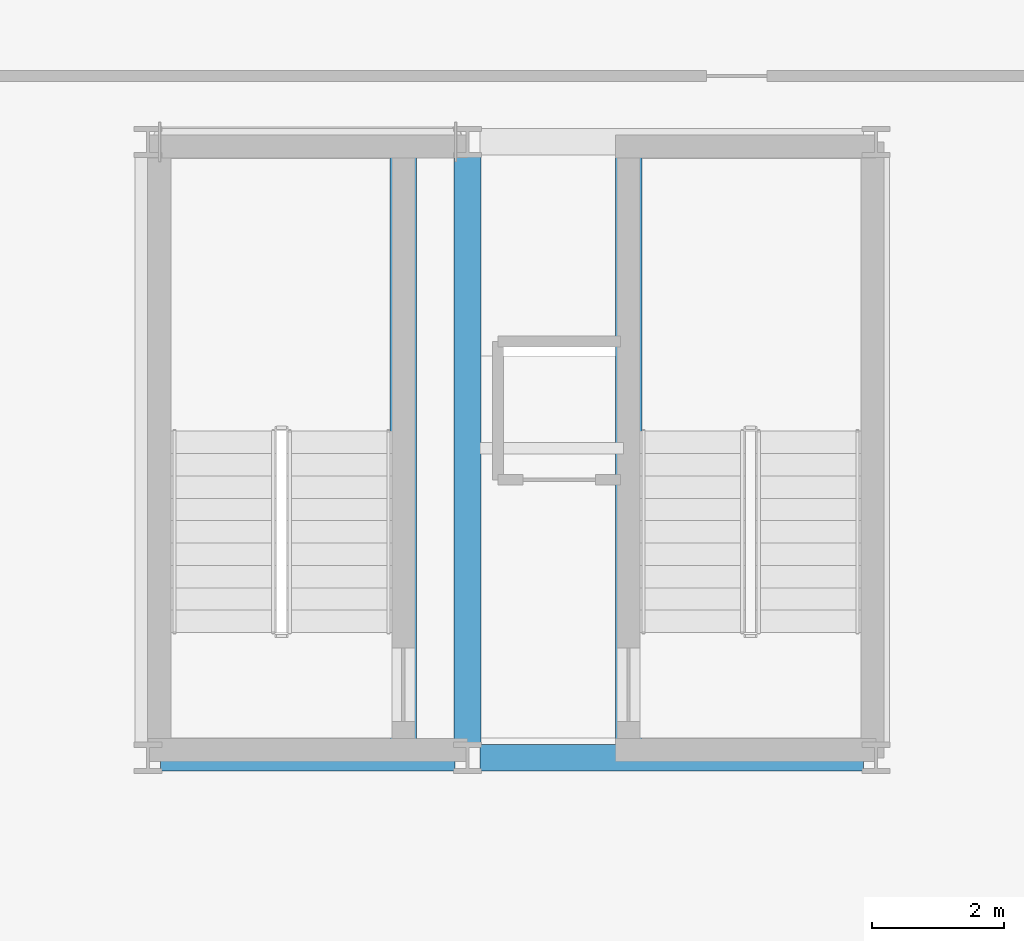
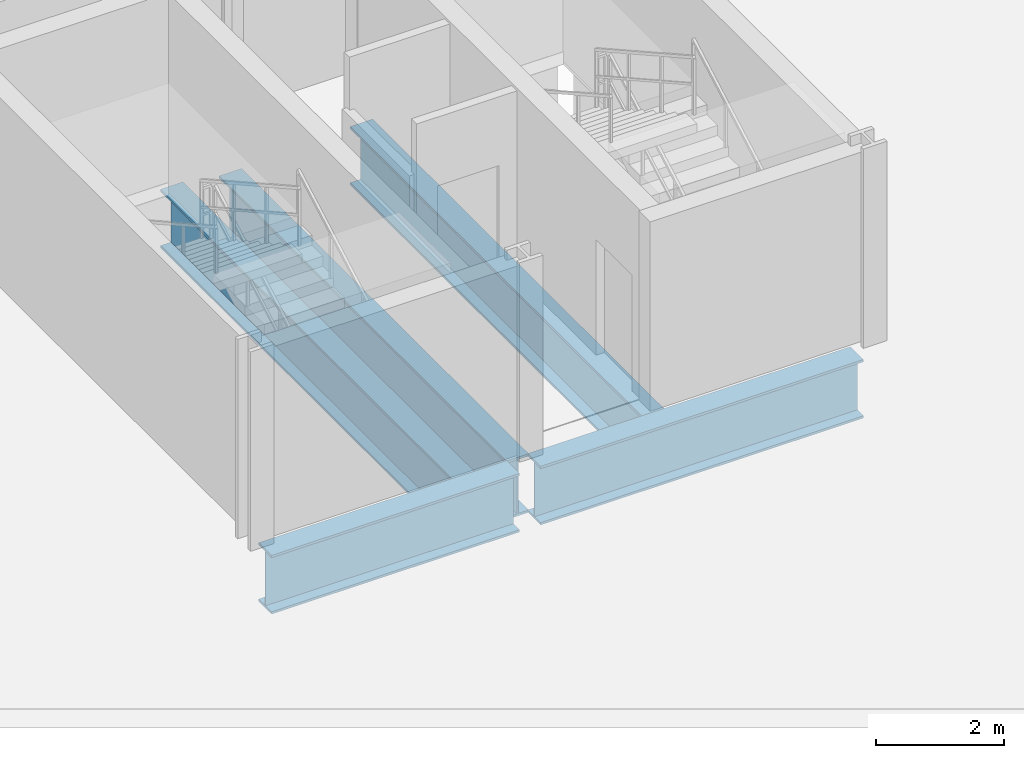
# One storey, part 5 of 16: 5 beams.
"""IFC4 building model written with IfcOpenShell, lengths in metres."""

from ifc_helpers import new_model, si_unit, direction, frame, origin, origin_2d, place, context, subcontext, project, spatial, i_section, extrude, material, material_profile, profile_set, type_object, element, save


model = new_model("IFC4")

# Units and contexts
model_context = context("Model", 3, precision=1e-05, world=origin(), true_north=direction((0.0, 1.0)))
body_context = subcontext(model_context, "Body", "Model", "MODEL_VIEW")
ifc_project = project(units=[si_unit("LENGTHUNIT", "METRE"), si_unit("AREAUNIT", "SQUARE_METRE"), si_unit("VOLUMEUNIT", "CUBIC_METRE"), si_unit("PLANEANGLEUNIT", "RADIAN"), si_unit("MASSUNIT", "GRAM", prefix="KILO")], contexts=[model_context])

# Site, building, storey
site_placement = place(None, origin())
site = spatial("IfcSite", under=ifc_project, at=site_placement, CompositionType="ELEMENT")
building_placement = place(site_placement, origin())
building = spatial("IfcBuilding", under=site, at=building_placement, Name="Zuhayl Quay Hotel", CompositionType="ELEMENT")
storey_placement = place(building_placement, frame((0.0, 0.0, 308.64990234375)))
storey = spatial("IfcBuildingStorey", under=building, at=storey_placement, Name="Crown 4", CompositionType="ELEMENT", Elevation=308.64990234375)

# Beams
ifc_material = material(Name="Steel ASTM A913 Grade 65", Category="steel")
ifc_material_profile = material_profile(ifc_material, i_section(OverallWidth=0.404052734375, OverallDepth=1.117919921875, WebThickness=0.026123046875, FlangeThickness=0.044921875, at=origin_2d()), Name="W44X335")
ifc_profile_set = profile_set([ifc_material_profile], Name="Steel ASTM A913 Grade 65")
beam_type = type_object("IfcBeamType", Name="BM_TG1_W44X335", PredefinedType="BEAM", material=ifc_profile_set)
beam_1_placement = place(storey_placement, frame((-9.260009765625, 25.10009765625, -0.798828125), z_axis=(1.0, 0.0, 0.0), x_axis=(0.0, 1.0, 0.0)))
element("IfcBeam", 1, at=beam_1_placement, inside=storey, type_object=beam_type, Name="Crown 4 Floor Beam CR_EW_4_1_1", PredefinedType="BEAM", context=body_context, shape_type="SweptSolid", body=[
    extrude(i_section(OverallWidth=0.404052734375, OverallDepth=1.117919921875, WebThickness=0.026123046875, FlangeThickness=0.044921875, at=origin_2d()), origin(), (0.0, 0.0, 1.0), 4.469970703125),
])
beam_2_placement = place(storey_placement, frame((-4.409912109375, 25.10009765625, -0.798828125), z_axis=(1.0, 0.0, 0.0), x_axis=(0.0, 1.0, 0.0)))
element("IfcBeam", 2, at=beam_2_placement, inside=storey, type_object=beam_type, Name="Crown 4 Floor Beam CR_EW_4_1_2", PredefinedType="BEAM", context=body_context, shape_type="SweptSolid", body=[
    extrude(i_section(OverallWidth=0.404052734375, OverallDepth=1.117919921875, WebThickness=0.026123046875, FlangeThickness=0.044921875, at=origin_2d()), origin(), (0.0, 0.0, 1.0), 5.81982421875),
])
beam_3_placement = place(storey_placement, frame((-4.60009765625, 25.2900390625, -0.798828125), z_axis=(0.0, 1.0, 0.0), x_axis=(-1.0, 0.0, 0.0)))
element("IfcBeam", 3, at=beam_3_placement, inside=storey, type_object=beam_type, Name="Crown 4 Floor Beam CR_NS_4_2", PredefinedType="BEAM", context=body_context, shape_type="SweptSolid", body=[
    extrude(i_section(OverallWidth=0.404052734375, OverallDepth=1.117919921875, WebThickness=0.026123046875, FlangeThickness=0.044921875, at=origin_2d()), origin(), (0.0, 0.0, 1.0), 8.969970703125),
])
for number, where, z_axis, x_axis, name in (
    (4, (-5.574951171875, 25.14990234375, -0.798828125), (0.0, 1.0, 0.0), (-1.0, 0.0, 0.0), "Crown 4 Floor Beam CR_ST5_E_4"),
    (5, (-2.155029296875, 25.14990234375, -0.798828125), (0.0, 1.0, 0.0), (-1.0, 0.0, 0.0), "Crown 4 Floor Beam CR_ST6_W_4"),
):
    element("IfcBeam", number, at=place(storey_placement, frame(where, z_axis=z_axis, x_axis=x_axis)), inside=storey, type_object=beam_type, Name=name, PredefinedType="BEAM", context=body_context, shape_type="SweptSolid", body=[
        extrude(i_section(OverallWidth=0.404052734375, OverallDepth=1.117919921875, WebThickness=0.026123046875, FlangeThickness=0.044921875, at=origin_2d()), origin(), (0.0, 0.0, 1.0), 9.25),
    ])

save(model, "model.ifc")
